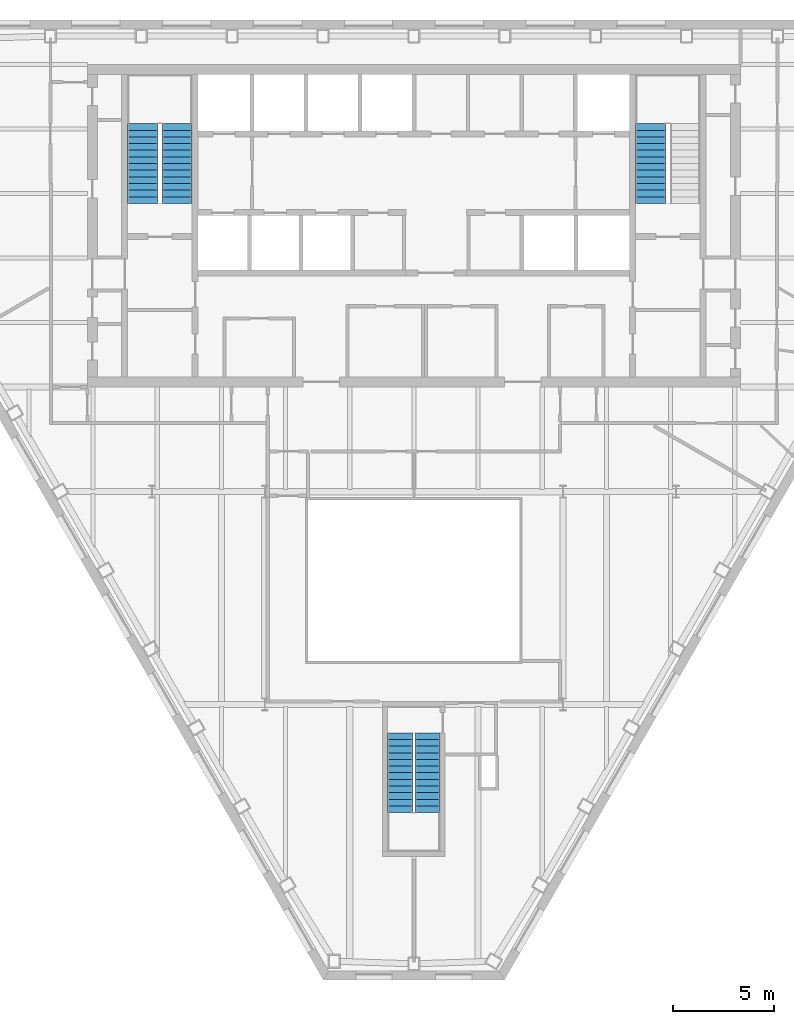
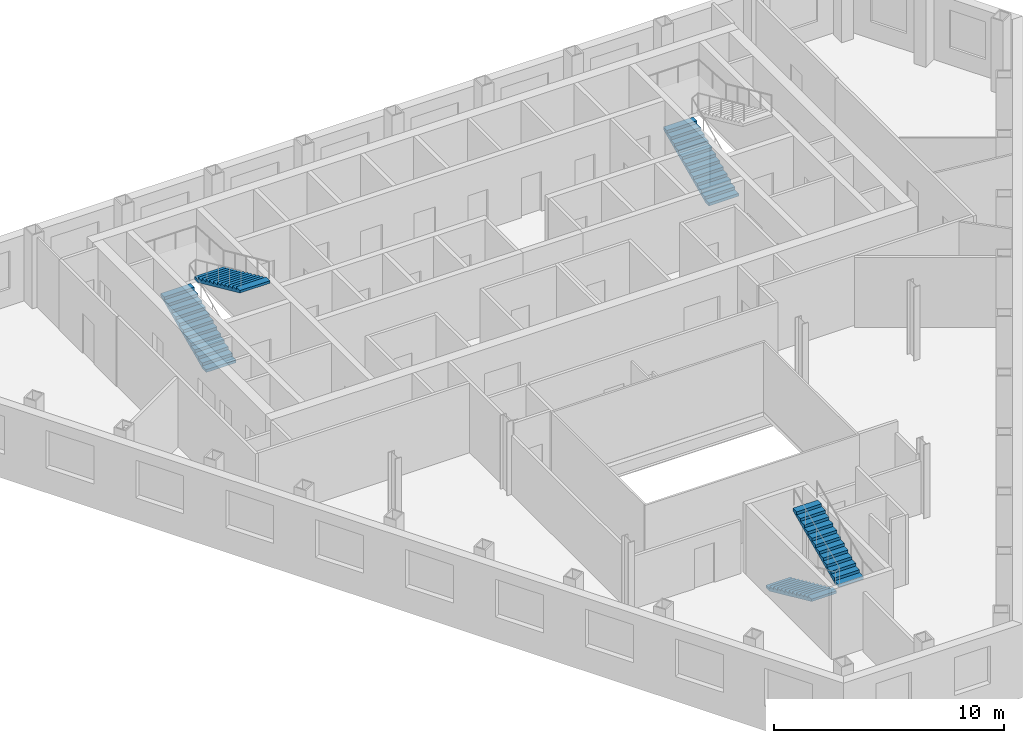
# One storey, part 9 of 11: 5 stair flights, 3 elements without a shape of their own.
"""IFC4 building model written with IfcOpenShell, lengths in metres."""

from ifc_helpers import new_model, si_unit, direction, frame, origin, place, context, subcontext, project, spatial, polygons, material, type_object, element, aggregate, save


model = new_model("IFC4")

# Units and contexts
model_context = context("Model", 3, precision=1e-05, world=origin(), true_north=direction((0.0, 1.0)))
body_context = subcontext(model_context, "Body", "Model", "MODEL_VIEW")
ifc_project = project(units=[si_unit("LENGTHUNIT", "METRE"), si_unit("AREAUNIT", "SQUARE_METRE"), si_unit("VOLUMEUNIT", "CUBIC_METRE"), si_unit("PLANEANGLEUNIT", "RADIAN"), si_unit("MASSUNIT", "GRAM", prefix="KILO")], contexts=[model_context])

# Site, building, storey
site_placement = place(None, origin())
site = spatial("IfcSite", under=ifc_project, at=site_placement, CompositionType="ELEMENT")
building_placement = place(site_placement, origin())
building = spatial("IfcBuilding", under=site, at=building_placement, Name="Njiva Tower", CompositionType="ELEMENT")
storey_placement = place(building_placement, frame((0.0, 0.0, 143.7)))
storey = spatial("IfcBuildingStorey", under=building, at=storey_placement, Name="L30", CompositionType="ELEMENT", Elevation=143.7)

# Stair, stair flights
ifc_material = material(Name="Concrete C40/50", Category="concrete")
stair_type_1 = type_object("IfcStairType", Name="ST1 Exit stair 1250", PredefinedType="HALF_TURN_STAIR", material=ifc_material)
stair_1_placement = place(storey_placement, origin())
stair_1 = element("IfcStair", 1, at=stair_1_placement, inside=storey, type_object=stair_type_1, Name="Stair C", PredefinedType="HALF_TURN_STAIR")
stair_flight_type_1 = type_object("IfcStairFlightType", Name="FL1 Stair flight 1250", PredefinedType="STRAIGHT", material=ifc_material)
stair_flight_1_placement = place(storey_placement, frame((-0.675, -15.16, 0.0), z_axis=(0.0, 0.0, 1.0), x_axis=(0.0, -1.0, 0.0)))
stair_flight_1 = element("IfcStairFlight", 2, at=stair_flight_1_placement, type_object=stair_flight_type_1, Name="ST-C flight 1", NumberOfRisers=13, NumberOfTreads=12, PredefinedType="STRAIGHT", RiserHeight=0.15, TreadLength=0.33, context=body_context, shape_type="Tessellation", body=[
    polygons([(0.0, 0.625, 0.0), (0.0, 0.3125, 0.0), (0.0, 0.0, 0.0), (0.0, -0.3125, 0.0), (0.0, -0.625, 0.0), (0.0, 0.625, 0.15), (0.0, 0.3125, 0.15), (0.0, 0.0, 0.15), (0.0, -0.3125, 0.15), (0.0, -0.625, 0.15), (0.33, 0.625, 0.15), (0.33, 0.3125, 0.15), (0.33, 0.0, 0.15), (0.33, -0.3125, 0.15), (0.33, -0.625, 0.15), (0.33, 0.625, 0.3), (0.33, 0.3125, 0.3), (0.33, 0.0, 0.3), (0.33, -0.3125, 0.3), (0.33, -0.625, 0.3), (0.66, 0.625, 0.3), (0.66, 0.3125, 0.3), (0.66, 0.0, 0.3), (0.66, -0.3125, 0.3), (0.66, -0.625, 0.3), (0.66, 0.625, 0.45), (0.66, 0.3125, 0.45), (0.66, 0.0, 0.45), (0.66, -0.3125, 0.45), (0.66, -0.625, 0.45), (0.99, 0.625, 0.45), (0.99, 0.3125, 0.45), (0.99, 0.0, 0.45), (0.99, -0.3125, 0.45), (0.99, -0.625, 0.45), (0.99, 0.625, 0.6), (0.99, 0.3125, 0.6), (0.99, 0.0, 0.6), (0.99, -0.3125, 0.6), (0.99, -0.625, 0.6), (1.32, 0.625, 0.6), (1.32, 0.3125, 0.6), (1.32, 0.0, 0.6), (1.32, -0.3125, 0.6), (1.32, -0.625, 0.6), (1.32, 0.625, 0.75), (1.32, 0.3125, 0.75), (1.32, 0.0, 0.75), (1.32, -0.3125, 0.75), (1.32, -0.625, 0.75), (1.65, 0.625, 0.75), (1.65, 0.3125, 0.75), (1.65, 0.0, 0.75), (1.65, -0.3125, 0.75), (1.65, -0.625, 0.75), (1.65, 0.625, 0.9), (1.65, 0.3125, 0.9), (1.65, 0.0, 0.9), (1.65, -0.3125, 0.9), (1.65, -0.625, 0.9), (1.98, 0.625, 0.9), (1.98, 0.3125, 0.9), (1.98, 0.0, 0.9), (1.98, -0.3125, 0.9), (1.98, -0.625, 0.9), (1.98, 0.625, 1.05), (1.98, 0.3125, 1.05), (1.98, 0.0, 1.05), (1.98, -0.3125, 1.05), (1.98, -0.625, 1.05), (2.31, 0.625, 1.05), (2.31, 0.3125, 1.05), (2.31, 0.0, 1.05), (2.31, -0.3125, 1.05), (2.31, -0.625, 1.05), (2.31, 0.625, 1.2), (2.31, 0.3125, 1.2), (2.31, 0.0, 1.2), (2.31, -0.3125, 1.2), (2.31, -0.625, 1.2), (2.64, 0.625, 1.2), (2.64, 0.3125, 1.2), (2.64, 0.0, 1.2), (2.64, -0.3125, 1.2), (2.64, -0.625, 1.2), (2.64, 0.625, 1.35), (2.64, 0.3125, 1.35), (2.64, 0.0, 1.35), (2.64, -0.3125, 1.35), (2.64, -0.625, 1.35), (2.97, 0.625, 1.35), (2.97, 0.3125, 1.35), (2.97, 0.0, 1.35), (2.97, -0.3125, 1.35), (2.97, -0.625, 1.35), (2.97, 0.625, 1.5), (2.97, 0.3125, 1.5), (2.97, 0.0, 1.5), (2.97, -0.3125, 1.5), (2.97, -0.625, 1.5), (3.3, 0.625, 1.5), (3.3, 0.3125, 1.5), (3.3, 0.0, 1.5), (3.3, -0.3125, 1.5), (3.3, -0.625, 1.5), (3.3, 0.625, 1.65), (3.3, 0.3125, 1.65), (3.3, 0.0, 1.65), (3.3, -0.3125, 1.65), (3.3, -0.625, 1.65), (3.63, 0.625, 1.65), (3.63, 0.3125, 1.65), (3.63, 0.0, 1.65), (3.63, -0.3125, 1.65), (3.63, -0.625, 1.65), (3.63, 0.625, 1.8), (3.63, 0.3125, 1.8), (3.63, 0.0, 1.8), (3.63, -0.3125, 1.8), (3.63, -0.625, 1.8), (3.96, 0.625, 1.8), (3.96, 0.3125, 1.8), (3.96, 0.0, 1.8), (3.96, -0.3125, 1.8), (3.96, -0.625, 1.8), (3.96, 0.625, 1.6682), (3.96, 0.3125, 1.6682), (3.96, 0.0, 1.6682), (3.96, -0.3125, 1.6682), (3.96, -0.625, 1.6682), (0.29, 0.625, 0.0), (0.29, 0.3125, 0.0), (0.29, 0.0, 0.0), (0.29, -0.3125, 0.0), (0.29, -0.625, 0.0)], [[[1, 6, 11, 16, 21, 26, 31, 36, 41, 46, 51, 56, 61, 66, 71, 76, 81, 86, 91, 96, 101, 106, 111, 116, 121, 126, 131]], [[135, 130, 125, 120, 115, 110, 105, 100, 95, 90, 85, 80, 75, 70, 65, 60, 55, 50, 45, 40, 35, 30, 25, 20, 15, 10, 5]], [[6, 1, 2, 7]], [[7, 2, 3, 8]], [[8, 3, 4, 9]], [[9, 4, 5, 10]], [[11, 6, 7, 12]], [[12, 7, 8, 13]], [[13, 8, 9, 14]], [[14, 9, 10, 15]], [[16, 11, 12, 17]], [[17, 12, 13, 18]], [[18, 13, 14, 19]], [[19, 14, 15, 20]], [[21, 16, 17, 22]], [[22, 17, 18, 23]], [[23, 18, 19, 24]], [[24, 19, 20, 25]], [[26, 21, 22, 27]], [[27, 22, 23, 28]], [[28, 23, 24, 29]], [[29, 24, 25, 30]], [[31, 26, 27, 32]], [[32, 27, 28, 33]], [[33, 28, 29, 34]], [[34, 29, 30, 35]], [[36, 31, 32, 37]], [[37, 32, 33, 38]], [[38, 33, 34, 39]], [[39, 34, 35, 40]], [[41, 36, 37, 42]], [[42, 37, 38, 43]], [[43, 38, 39, 44]], [[44, 39, 40, 45]], [[46, 41, 42, 47]], [[47, 42, 43, 48]], [[48, 43, 44, 49]], [[49, 44, 45, 50]], [[51, 46, 47, 52]], [[52, 47, 48, 53]], [[53, 48, 49, 54]], [[54, 49, 50, 55]], [[56, 51, 52, 57]], [[57, 52, 53, 58]], [[58, 53, 54, 59]], [[59, 54, 55, 60]], [[61, 56, 57, 62]], [[62, 57, 58, 63]], [[63, 58, 59, 64]], [[64, 59, 60, 65]], [[66, 61, 62, 67]], [[67, 62, 63, 68]], [[68, 63, 64, 69]], [[69, 64, 65, 70]], [[71, 66, 67, 72]], [[72, 67, 68, 73]], [[73, 68, 69, 74]], [[74, 69, 70, 75]], [[76, 71, 72, 77]], [[77, 72, 73, 78]], [[78, 73, 74, 79]], [[79, 74, 75, 80]], [[81, 76, 77, 82]], [[82, 77, 78, 83]], [[83, 78, 79, 84]], [[84, 79, 80, 85]], [[86, 81, 82, 87]], [[87, 82, 83, 88]], [[88, 83, 84, 89]], [[89, 84, 85, 90]], [[91, 86, 87, 92]], [[92, 87, 88, 93]], [[93, 88, 89, 94]], [[94, 89, 90, 95]], [[96, 91, 92, 97]], [[97, 92, 93, 98]], [[98, 93, 94, 99]], [[99, 94, 95, 100]], [[101, 96, 97, 102]], [[102, 97, 98, 103]], [[103, 98, 99, 104]], [[104, 99, 100, 105]], [[106, 101, 102, 107]], [[107, 102, 103, 108]], [[108, 103, 104, 109]], [[109, 104, 105, 110]], [[111, 106, 107, 112]], [[112, 107, 108, 113]], [[113, 108, 109, 114]], [[114, 109, 110, 115]], [[116, 111, 112, 117]], [[117, 112, 113, 118]], [[118, 113, 114, 119]], [[119, 114, 115, 120]], [[121, 116, 117, 122]], [[122, 117, 118, 123]], [[123, 118, 119, 124]], [[124, 119, 120, 125]], [[126, 121, 122, 127]], [[127, 122, 123, 128]], [[128, 123, 124, 129]], [[129, 124, 125, 130]], [[131, 126, 127, 132]], [[132, 127, 128, 133]], [[133, 128, 129, 134]], [[134, 129, 130, 135]], [[1, 131, 132, 2]], [[2, 132, 133, 3]], [[3, 133, 134, 4]], [[4, 134, 135, 5]]], closed=True),
])
stair_flight_2_placement = place(storey_placement, frame((0.675, -19.12, 1.95), z_axis=(0.0, 0.0, 1.0), x_axis=(0.0, 1.0, 0.0)))
stair_flight_2 = element("IfcStairFlight", 3, at=stair_flight_2_placement, type_object=stair_flight_type_1, Name="ST-C flight 2", NumberOfRisers=13, NumberOfTreads=12, PredefinedType="STRAIGHT", RiserHeight=0.15, TreadLength=0.33, context=body_context, shape_type="Tessellation", body=[
    polygons([(0.0, 0.625, 0.0), (0.0, 0.3125, 0.0), (0.0, 0.0, 0.0), (0.0, -0.3125, 0.0), (0.0, -0.625, 0.0), (0.0, 0.625, 0.15), (0.0, 0.3125, 0.15), (0.0, 0.0, 0.15), (0.0, -0.3125, 0.15), (0.0, -0.625, 0.15), (0.33, 0.625, 0.15), (0.33, 0.3125, 0.15), (0.33, 0.0, 0.15), (0.33, -0.3125, 0.15), (0.33, -0.625, 0.15), (0.33, 0.625, 0.3), (0.33, 0.3125, 0.3), (0.33, 0.0, 0.3), (0.33, -0.3125, 0.3), (0.33, -0.625, 0.3), (0.66, 0.625, 0.3), (0.66, 0.3125, 0.3), (0.66, 0.0, 0.3), (0.66, -0.3125, 0.3), (0.66, -0.625, 0.3), (0.66, 0.625, 0.45), (0.66, 0.3125, 0.45), (0.66, 0.0, 0.45), (0.66, -0.3125, 0.45), (0.66, -0.625, 0.45), (0.99, 0.625, 0.45), (0.99, 0.3125, 0.45), (0.99, 0.0, 0.45), (0.99, -0.3125, 0.45), (0.99, -0.625, 0.45), (0.99, 0.625, 0.6), (0.99, 0.3125, 0.6), (0.99, 0.0, 0.6), (0.99, -0.3125, 0.6), (0.99, -0.625, 0.6), (1.32, 0.625, 0.6), (1.32, 0.3125, 0.6), (1.32, 0.0, 0.6), (1.32, -0.3125, 0.6), (1.32, -0.625, 0.6), (1.32, 0.625, 0.75), (1.32, 0.3125, 0.75), (1.32, 0.0, 0.75), (1.32, -0.3125, 0.75), (1.32, -0.625, 0.75), (1.65, 0.625, 0.75), (1.65, 0.3125, 0.75), (1.65, 0.0, 0.75), (1.65, -0.3125, 0.75), (1.65, -0.625, 0.75), (1.65, 0.625, 0.9), (1.65, 0.3125, 0.9), (1.65, 0.0, 0.9), (1.65, -0.3125, 0.9), (1.65, -0.625, 0.9), (1.98, 0.625, 0.9), (1.98, 0.3125, 0.9), (1.98, 0.0, 0.9), (1.98, -0.3125, 0.9), (1.98, -0.625, 0.9), (1.98, 0.625, 1.05), (1.98, 0.3125, 1.05), (1.98, 0.0, 1.05), (1.98, -0.3125, 1.05), (1.98, -0.625, 1.05), (2.31, 0.625, 1.05), (2.31, 0.3125, 1.05), (2.31, 0.0, 1.05), (2.31, -0.3125, 1.05), (2.31, -0.625, 1.05), (2.31, 0.625, 1.2), (2.31, 0.3125, 1.2), (2.31, 0.0, 1.2), (2.31, -0.3125, 1.2), (2.31, -0.625, 1.2), (2.64, 0.625, 1.2), (2.64, 0.3125, 1.2), (2.64, 0.0, 1.2), (2.64, -0.3125, 1.2), (2.64, -0.625, 1.2), (2.64, 0.625, 1.35), (2.64, 0.3125, 1.35), (2.64, 0.0, 1.35), (2.64, -0.3125, 1.35), (2.64, -0.625, 1.35), (2.97, 0.625, 1.35), (2.97, 0.3125, 1.35), (2.97, 0.0, 1.35), (2.97, -0.3125, 1.35), (2.97, -0.625, 1.35), (2.97, 0.625, 1.5), (2.97, 0.3125, 1.5), (2.97, 0.0, 1.5), (2.97, -0.3125, 1.5), (2.97, -0.625, 1.5), (3.3, 0.625, 1.5), (3.3, 0.3125, 1.5), (3.3, 0.0, 1.5), (3.3, -0.3125, 1.5), (3.3, -0.625, 1.5), (3.3, 0.625, 1.65), (3.3, 0.3125, 1.65), (3.3, 0.0, 1.65), (3.3, -0.3125, 1.65), (3.3, -0.625, 1.65), (3.63, 0.625, 1.65), (3.63, 0.3125, 1.65), (3.63, 0.0, 1.65), (3.63, -0.3125, 1.65), (3.63, -0.625, 1.65), (3.63, 0.625, 1.8), (3.63, 0.3125, 1.8), (3.63, 0.0, 1.8), (3.63, -0.3125, 1.8), (3.63, -0.625, 1.8), (3.96, 0.625, 1.8), (3.96, 0.3125, 1.8), (3.96, 0.0, 1.8), (3.96, -0.3125, 1.8), (3.96, -0.625, 1.8), (3.96, 0.625, 1.6682), (3.96, 0.3125, 1.6682), (3.96, 0.0, 1.6682), (3.96, -0.3125, 1.6682), (3.96, -0.625, 1.6682), (0.29, 0.625, 0.0), (0.29, 0.3125, 0.0), (0.29, 0.0, 0.0), (0.29, -0.3125, 0.0), (0.29, -0.625, 0.0)], [[[1, 6, 11, 16, 21, 26, 31, 36, 41, 46, 51, 56, 61, 66, 71, 76, 81, 86, 91, 96, 101, 106, 111, 116, 121, 126, 131]], [[135, 130, 125, 120, 115, 110, 105, 100, 95, 90, 85, 80, 75, 70, 65, 60, 55, 50, 45, 40, 35, 30, 25, 20, 15, 10, 5]], [[6, 1, 2, 7]], [[7, 2, 3, 8]], [[8, 3, 4, 9]], [[9, 4, 5, 10]], [[11, 6, 7, 12]], [[12, 7, 8, 13]], [[13, 8, 9, 14]], [[14, 9, 10, 15]], [[16, 11, 12, 17]], [[17, 12, 13, 18]], [[18, 13, 14, 19]], [[19, 14, 15, 20]], [[21, 16, 17, 22]], [[22, 17, 18, 23]], [[23, 18, 19, 24]], [[24, 19, 20, 25]], [[26, 21, 22, 27]], [[27, 22, 23, 28]], [[28, 23, 24, 29]], [[29, 24, 25, 30]], [[31, 26, 27, 32]], [[32, 27, 28, 33]], [[33, 28, 29, 34]], [[34, 29, 30, 35]], [[36, 31, 32, 37]], [[37, 32, 33, 38]], [[38, 33, 34, 39]], [[39, 34, 35, 40]], [[41, 36, 37, 42]], [[42, 37, 38, 43]], [[43, 38, 39, 44]], [[44, 39, 40, 45]], [[46, 41, 42, 47]], [[47, 42, 43, 48]], [[48, 43, 44, 49]], [[49, 44, 45, 50]], [[51, 46, 47, 52]], [[52, 47, 48, 53]], [[53, 48, 49, 54]], [[54, 49, 50, 55]], [[56, 51, 52, 57]], [[57, 52, 53, 58]], [[58, 53, 54, 59]], [[59, 54, 55, 60]], [[61, 56, 57, 62]], [[62, 57, 58, 63]], [[63, 58, 59, 64]], [[64, 59, 60, 65]], [[66, 61, 62, 67]], [[67, 62, 63, 68]], [[68, 63, 64, 69]], [[69, 64, 65, 70]], [[71, 66, 67, 72]], [[72, 67, 68, 73]], [[73, 68, 69, 74]], [[74, 69, 70, 75]], [[76, 71, 72, 77]], [[77, 72, 73, 78]], [[78, 73, 74, 79]], [[79, 74, 75, 80]], [[81, 76, 77, 82]], [[82, 77, 78, 83]], [[83, 78, 79, 84]], [[84, 79, 80, 85]], [[86, 81, 82, 87]], [[87, 82, 83, 88]], [[88, 83, 84, 89]], [[89, 84, 85, 90]], [[91, 86, 87, 92]], [[92, 87, 88, 93]], [[93, 88, 89, 94]], [[94, 89, 90, 95]], [[96, 91, 92, 97]], [[97, 92, 93, 98]], [[98, 93, 94, 99]], [[99, 94, 95, 100]], [[101, 96, 97, 102]], [[102, 97, 98, 103]], [[103, 98, 99, 104]], [[104, 99, 100, 105]], [[106, 101, 102, 107]], [[107, 102, 103, 108]], [[108, 103, 104, 109]], [[109, 104, 105, 110]], [[111, 106, 107, 112]], [[112, 107, 108, 113]], [[113, 108, 109, 114]], [[114, 109, 110, 115]], [[116, 111, 112, 117]], [[117, 112, 113, 118]], [[118, 113, 114, 119]], [[119, 114, 115, 120]], [[121, 116, 117, 122]], [[122, 117, 118, 123]], [[123, 118, 119, 124]], [[124, 119, 120, 125]], [[126, 121, 122, 127]], [[127, 122, 123, 128]], [[128, 123, 124, 129]], [[129, 124, 125, 130]], [[131, 126, 127, 132]], [[132, 127, 128, 133]], [[133, 128, 129, 134]], [[134, 129, 130, 135]], [[1, 131, 132, 2]], [[2, 132, 133, 3]], [[3, 133, 134, 4]], [[4, 134, 135, 5]]], closed=True),
])
aggregate(stair_1, [stair_flight_1, stair_flight_2])

stair_type_2 = type_object("IfcStairType", Name="ST4 Exit stair 1500", PredefinedType="HALF_TURN_STAIR", material=ifc_material)
stair_2_placement = place(storey_placement, origin())
stair_2 = element("IfcStair", 4, at=stair_2_placement, inside=storey, type_object=stair_type_2, Name="Stair A", PredefinedType="HALF_TURN_STAIR")
stair_flight_type_2 = type_object("IfcStairFlightType", Name="FL4 Stair flight 1500", PredefinedType="STRAIGHT", material=ifc_material)
stair_flight_3_placement = place(storey_placement, frame((-13.45, 11.1, 0.0), z_axis=(0.0, 0.0, 1.0), x_axis=(0.0, 1.0, 0.0)))
stair_flight_3 = element("IfcStairFlight", 5, at=stair_flight_3_placement, type_object=stair_flight_type_2, Name="ST-A flight 1", NumberOfRisers=13, NumberOfTreads=12, PredefinedType="STRAIGHT", RiserHeight=0.15, TreadLength=0.33, context=body_context, shape_type="Tessellation", body=[
    polygons([(0.0, 0.75, 0.0), (0.0, 0.375, 0.0), (0.0, 0.0, 0.0), (0.0, -0.375, 0.0), (0.0, -0.75, 0.0), (0.0, 0.75, 0.15), (0.0, 0.375, 0.15), (0.0, 0.0, 0.15), (0.0, -0.375, 0.15), (0.0, -0.75, 0.15), (0.33, 0.75, 0.15), (0.33, 0.375, 0.15), (0.33, 0.0, 0.15), (0.33, -0.375, 0.15), (0.33, -0.75, 0.15), (0.33, 0.75, 0.3), (0.33, 0.375, 0.3), (0.33, 0.0, 0.3), (0.33, -0.375, 0.3), (0.33, -0.75, 0.3), (0.66, 0.75, 0.3), (0.66, 0.375, 0.3), (0.66, 0.0, 0.3), (0.66, -0.375, 0.3), (0.66, -0.75, 0.3), (0.66, 0.75, 0.45), (0.66, 0.375, 0.45), (0.66, 0.0, 0.45), (0.66, -0.375, 0.45), (0.66, -0.75, 0.45), (0.99, 0.75, 0.45), (0.99, 0.375, 0.45), (0.99, 0.0, 0.45), (0.99, -0.375, 0.45), (0.99, -0.75, 0.45), (0.99, 0.75, 0.6), (0.99, 0.375, 0.6), (0.99, 0.0, 0.6), (0.99, -0.375, 0.6), (0.99, -0.75, 0.6), (1.32, 0.75, 0.6), (1.32, 0.375, 0.6), (1.32, 0.0, 0.6), (1.32, -0.375, 0.6), (1.32, -0.75, 0.6), (1.32, 0.75, 0.75), (1.32, 0.375, 0.75), (1.32, 0.0, 0.75), (1.32, -0.375, 0.75), (1.32, -0.75, 0.75), (1.65, 0.75, 0.75), (1.65, 0.375, 0.75), (1.65, 0.0, 0.75), (1.65, -0.375, 0.75), (1.65, -0.75, 0.75), (1.65, 0.75, 0.9), (1.65, 0.375, 0.9), (1.65, 0.0, 0.9), (1.65, -0.375, 0.9), (1.65, -0.75, 0.9), (1.98, 0.75, 0.9), (1.98, 0.375, 0.9), (1.98, 0.0, 0.9), (1.98, -0.375, 0.9), (1.98, -0.75, 0.9), (1.98, 0.75, 1.05), (1.98, 0.375, 1.05), (1.98, 0.0, 1.05), (1.98, -0.375, 1.05), (1.98, -0.75, 1.05), (2.31, 0.75, 1.05), (2.31, 0.375, 1.05), (2.31, 0.0, 1.05), (2.31, -0.375, 1.05), (2.31, -0.75, 1.05), (2.31, 0.75, 1.2), (2.31, 0.375, 1.2), (2.31, 0.0, 1.2), (2.31, -0.375, 1.2), (2.31, -0.75, 1.2), (2.64, 0.75, 1.2), (2.64, 0.375, 1.2), (2.64, 0.0, 1.2), (2.64, -0.375, 1.2), (2.64, -0.75, 1.2), (2.64, 0.75, 1.35), (2.64, 0.375, 1.35), (2.64, 0.0, 1.35), (2.64, -0.375, 1.35), (2.64, -0.75, 1.35), (2.97, 0.75, 1.35), (2.97, 0.375, 1.35), (2.97, 0.0, 1.35), (2.97, -0.375, 1.35), (2.97, -0.75, 1.35), (2.97, 0.75, 1.5), (2.97, 0.375, 1.5), (2.97, 0.0, 1.5), (2.97, -0.375, 1.5), (2.97, -0.75, 1.5), (3.3, 0.75, 1.5), (3.3, 0.375, 1.5), (3.3, 0.0, 1.5), (3.3, -0.375, 1.5), (3.3, -0.75, 1.5), (3.3, 0.75, 1.65), (3.3, 0.375, 1.65), (3.3, 0.0, 1.65), (3.3, -0.375, 1.65), (3.3, -0.75, 1.65), (3.63, 0.75, 1.65), (3.63, 0.375, 1.65), (3.63, 0.0, 1.65), (3.63, -0.375, 1.65), (3.63, -0.75, 1.65), (3.63, 0.75, 1.8), (3.63, 0.375, 1.8), (3.63, 0.0, 1.8), (3.63, -0.375, 1.8), (3.63, -0.75, 1.8), (3.96, 0.75, 1.8), (3.96, 0.375, 1.8), (3.96, 0.0, 1.8), (3.96, -0.375, 1.8), (3.96, -0.75, 1.8), (3.96, 0.75, 1.6682), (3.96, 0.375, 1.6682), (3.96, 0.0, 1.6682), (3.96, -0.375, 1.6682), (3.96, -0.75, 1.6682), (0.29, 0.75, 0.0), (0.29, 0.375, 0.0), (0.29, 0.0, 0.0), (0.29, -0.375, 0.0), (0.29, -0.75, 0.0)], [[[1, 6, 11, 16, 21, 26, 31, 36, 41, 46, 51, 56, 61, 66, 71, 76, 81, 86, 91, 96, 101, 106, 111, 116, 121, 126, 131]], [[135, 130, 125, 120, 115, 110, 105, 100, 95, 90, 85, 80, 75, 70, 65, 60, 55, 50, 45, 40, 35, 30, 25, 20, 15, 10, 5]], [[6, 1, 2, 7]], [[7, 2, 3, 8]], [[8, 3, 4, 9]], [[9, 4, 5, 10]], [[11, 6, 7, 12]], [[12, 7, 8, 13]], [[13, 8, 9, 14]], [[14, 9, 10, 15]], [[16, 11, 12, 17]], [[17, 12, 13, 18]], [[18, 13, 14, 19]], [[19, 14, 15, 20]], [[21, 16, 17, 22]], [[22, 17, 18, 23]], [[23, 18, 19, 24]], [[24, 19, 20, 25]], [[26, 21, 22, 27]], [[27, 22, 23, 28]], [[28, 23, 24, 29]], [[29, 24, 25, 30]], [[31, 26, 27, 32]], [[32, 27, 28, 33]], [[33, 28, 29, 34]], [[34, 29, 30, 35]], [[36, 31, 32, 37]], [[37, 32, 33, 38]], [[38, 33, 34, 39]], [[39, 34, 35, 40]], [[41, 36, 37, 42]], [[42, 37, 38, 43]], [[43, 38, 39, 44]], [[44, 39, 40, 45]], [[46, 41, 42, 47]], [[47, 42, 43, 48]], [[48, 43, 44, 49]], [[49, 44, 45, 50]], [[51, 46, 47, 52]], [[52, 47, 48, 53]], [[53, 48, 49, 54]], [[54, 49, 50, 55]], [[56, 51, 52, 57]], [[57, 52, 53, 58]], [[58, 53, 54, 59]], [[59, 54, 55, 60]], [[61, 56, 57, 62]], [[62, 57, 58, 63]], [[63, 58, 59, 64]], [[64, 59, 60, 65]], [[66, 61, 62, 67]], [[67, 62, 63, 68]], [[68, 63, 64, 69]], [[69, 64, 65, 70]], [[71, 66, 67, 72]], [[72, 67, 68, 73]], [[73, 68, 69, 74]], [[74, 69, 70, 75]], [[76, 71, 72, 77]], [[77, 72, 73, 78]], [[78, 73, 74, 79]], [[79, 74, 75, 80]], [[81, 76, 77, 82]], [[82, 77, 78, 83]], [[83, 78, 79, 84]], [[84, 79, 80, 85]], [[86, 81, 82, 87]], [[87, 82, 83, 88]], [[88, 83, 84, 89]], [[89, 84, 85, 90]], [[91, 86, 87, 92]], [[92, 87, 88, 93]], [[93, 88, 89, 94]], [[94, 89, 90, 95]], [[96, 91, 92, 97]], [[97, 92, 93, 98]], [[98, 93, 94, 99]], [[99, 94, 95, 100]], [[101, 96, 97, 102]], [[102, 97, 98, 103]], [[103, 98, 99, 104]], [[104, 99, 100, 105]], [[106, 101, 102, 107]], [[107, 102, 103, 108]], [[108, 103, 104, 109]], [[109, 104, 105, 110]], [[111, 106, 107, 112]], [[112, 107, 108, 113]], [[113, 108, 109, 114]], [[114, 109, 110, 115]], [[116, 111, 112, 117]], [[117, 112, 113, 118]], [[118, 113, 114, 119]], [[119, 114, 115, 120]], [[121, 116, 117, 122]], [[122, 117, 118, 123]], [[123, 118, 119, 124]], [[124, 119, 120, 125]], [[126, 121, 122, 127]], [[127, 122, 123, 128]], [[128, 123, 124, 129]], [[129, 124, 125, 130]], [[131, 126, 127, 132]], [[132, 127, 128, 133]], [[133, 128, 129, 134]], [[134, 129, 130, 135]], [[1, 131, 132, 2]], [[2, 132, 133, 3]], [[3, 133, 134, 4]], [[4, 134, 135, 5]]], closed=True),
])
stair_flight_4_placement = place(storey_placement, frame((-11.75, 15.06, 1.95), z_axis=(0.0, 0.0, 1.0), x_axis=(0.0, -1.0, 0.0)))
stair_flight_4 = element("IfcStairFlight", 6, at=stair_flight_4_placement, type_object=stair_flight_type_2, Name="ST-A flight 2", NumberOfRisers=13, NumberOfTreads=12, PredefinedType="STRAIGHT", RiserHeight=0.15, TreadLength=0.33, context=body_context, shape_type="Tessellation", body=[
    polygons([(0.0, 0.75, 0.0), (0.0, 0.375, 0.0), (0.0, 0.0, 0.0), (0.0, -0.375, 0.0), (0.0, -0.75, 0.0), (0.0, 0.75, 0.15), (0.0, 0.375, 0.15), (0.0, 0.0, 0.15), (0.0, -0.375, 0.15), (0.0, -0.75, 0.15), (0.33, 0.75, 0.15), (0.33, 0.375, 0.15), (0.33, 0.0, 0.15), (0.33, -0.375, 0.15), (0.33, -0.75, 0.15), (0.33, 0.75, 0.3), (0.33, 0.375, 0.3), (0.33, 0.0, 0.3), (0.33, -0.375, 0.3), (0.33, -0.75, 0.3), (0.66, 0.75, 0.3), (0.66, 0.375, 0.3), (0.66, 0.0, 0.3), (0.66, -0.375, 0.3), (0.66, -0.75, 0.3), (0.66, 0.75, 0.45), (0.66, 0.375, 0.45), (0.66, 0.0, 0.45), (0.66, -0.375, 0.45), (0.66, -0.75, 0.45), (0.99, 0.75, 0.45), (0.99, 0.375, 0.45), (0.99, 0.0, 0.45), (0.99, -0.375, 0.45), (0.99, -0.75, 0.45), (0.99, 0.75, 0.6), (0.99, 0.375, 0.6), (0.99, 0.0, 0.6), (0.99, -0.375, 0.6), (0.99, -0.75, 0.6), (1.32, 0.75, 0.6), (1.32, 0.375, 0.6), (1.32, 0.0, 0.6), (1.32, -0.375, 0.6), (1.32, -0.75, 0.6), (1.32, 0.75, 0.75), (1.32, 0.375, 0.75), (1.32, 0.0, 0.75), (1.32, -0.375, 0.75), (1.32, -0.75, 0.75), (1.65, 0.75, 0.75), (1.65, 0.375, 0.75), (1.65, 0.0, 0.75), (1.65, -0.375, 0.75), (1.65, -0.75, 0.75), (1.65, 0.75, 0.9), (1.65, 0.375, 0.9), (1.65, 0.0, 0.9), (1.65, -0.375, 0.9), (1.65, -0.75, 0.9), (1.98, 0.75, 0.9), (1.98, 0.375, 0.9), (1.98, 0.0, 0.9), (1.98, -0.375, 0.9), (1.98, -0.75, 0.9), (1.98, 0.75, 1.05), (1.98, 0.375, 1.05), (1.98, 0.0, 1.05), (1.98, -0.375, 1.05), (1.98, -0.75, 1.05), (2.31, 0.75, 1.05), (2.31, 0.375, 1.05), (2.31, 0.0, 1.05), (2.31, -0.375, 1.05), (2.31, -0.75, 1.05), (2.31, 0.75, 1.2), (2.31, 0.375, 1.2), (2.31, 0.0, 1.2), (2.31, -0.375, 1.2), (2.31, -0.75, 1.2), (2.64, 0.75, 1.2), (2.64, 0.375, 1.2), (2.64, 0.0, 1.2), (2.64, -0.375, 1.2), (2.64, -0.75, 1.2), (2.64, 0.75, 1.35), (2.64, 0.375, 1.35), (2.64, 0.0, 1.35), (2.64, -0.375, 1.35), (2.64, -0.75, 1.35), (2.97, 0.75, 1.35), (2.97, 0.375, 1.35), (2.97, 0.0, 1.35), (2.97, -0.375, 1.35), (2.97, -0.75, 1.35), (2.97, 0.75, 1.5), (2.97, 0.375, 1.5), (2.97, 0.0, 1.5), (2.97, -0.375, 1.5), (2.97, -0.75, 1.5), (3.3, 0.75, 1.5), (3.3, 0.375, 1.5), (3.3, 0.0, 1.5), (3.3, -0.375, 1.5), (3.3, -0.75, 1.5), (3.3, 0.75, 1.65), (3.3, 0.375, 1.65), (3.3, 0.0, 1.65), (3.3, -0.375, 1.65), (3.3, -0.75, 1.65), (3.63, 0.75, 1.65), (3.63, 0.375, 1.65), (3.63, 0.0, 1.65), (3.63, -0.375, 1.65), (3.63, -0.75, 1.65), (3.63, 0.75, 1.8), (3.63, 0.375, 1.8), (3.63, 0.0, 1.8), (3.63, -0.375, 1.8), (3.63, -0.75, 1.8), (3.96, 0.75, 1.8), (3.96, 0.375, 1.8), (3.96, 0.0, 1.8), (3.96, -0.375, 1.8), (3.96, -0.75, 1.8), (3.96, 0.75, 1.6682), (3.96, 0.375, 1.6682), (3.96, 0.0, 1.6682), (3.96, -0.375, 1.6682), (3.96, -0.75, 1.6682), (0.29, 0.75, 0.0), (0.29, 0.375, 0.0), (0.29, 0.0, 0.0), (0.29, -0.375, 0.0), (0.29, -0.75, 0.0)], [[[1, 6, 11, 16, 21, 26, 31, 36, 41, 46, 51, 56, 61, 66, 71, 76, 81, 86, 91, 96, 101, 106, 111, 116, 121, 126, 131]], [[135, 130, 125, 120, 115, 110, 105, 100, 95, 90, 85, 80, 75, 70, 65, 60, 55, 50, 45, 40, 35, 30, 25, 20, 15, 10, 5]], [[6, 1, 2, 7]], [[7, 2, 3, 8]], [[8, 3, 4, 9]], [[9, 4, 5, 10]], [[11, 6, 7, 12]], [[12, 7, 8, 13]], [[13, 8, 9, 14]], [[14, 9, 10, 15]], [[16, 11, 12, 17]], [[17, 12, 13, 18]], [[18, 13, 14, 19]], [[19, 14, 15, 20]], [[21, 16, 17, 22]], [[22, 17, 18, 23]], [[23, 18, 19, 24]], [[24, 19, 20, 25]], [[26, 21, 22, 27]], [[27, 22, 23, 28]], [[28, 23, 24, 29]], [[29, 24, 25, 30]], [[31, 26, 27, 32]], [[32, 27, 28, 33]], [[33, 28, 29, 34]], [[34, 29, 30, 35]], [[36, 31, 32, 37]], [[37, 32, 33, 38]], [[38, 33, 34, 39]], [[39, 34, 35, 40]], [[41, 36, 37, 42]], [[42, 37, 38, 43]], [[43, 38, 39, 44]], [[44, 39, 40, 45]], [[46, 41, 42, 47]], [[47, 42, 43, 48]], [[48, 43, 44, 49]], [[49, 44, 45, 50]], [[51, 46, 47, 52]], [[52, 47, 48, 53]], [[53, 48, 49, 54]], [[54, 49, 50, 55]], [[56, 51, 52, 57]], [[57, 52, 53, 58]], [[58, 53, 54, 59]], [[59, 54, 55, 60]], [[61, 56, 57, 62]], [[62, 57, 58, 63]], [[63, 58, 59, 64]], [[64, 59, 60, 65]], [[66, 61, 62, 67]], [[67, 62, 63, 68]], [[68, 63, 64, 69]], [[69, 64, 65, 70]], [[71, 66, 67, 72]], [[72, 67, 68, 73]], [[73, 68, 69, 74]], [[74, 69, 70, 75]], [[76, 71, 72, 77]], [[77, 72, 73, 78]], [[78, 73, 74, 79]], [[79, 74, 75, 80]], [[81, 76, 77, 82]], [[82, 77, 78, 83]], [[83, 78, 79, 84]], [[84, 79, 80, 85]], [[86, 81, 82, 87]], [[87, 82, 83, 88]], [[88, 83, 84, 89]], [[89, 84, 85, 90]], [[91, 86, 87, 92]], [[92, 87, 88, 93]], [[93, 88, 89, 94]], [[94, 89, 90, 95]], [[96, 91, 92, 97]], [[97, 92, 93, 98]], [[98, 93, 94, 99]], [[99, 94, 95, 100]], [[101, 96, 97, 102]], [[102, 97, 98, 103]], [[103, 98, 99, 104]], [[104, 99, 100, 105]], [[106, 101, 102, 107]], [[107, 102, 103, 108]], [[108, 103, 104, 109]], [[109, 104, 105, 110]], [[111, 106, 107, 112]], [[112, 107, 108, 113]], [[113, 108, 109, 114]], [[114, 109, 110, 115]], [[116, 111, 112, 117]], [[117, 112, 113, 118]], [[118, 113, 114, 119]], [[119, 114, 115, 120]], [[121, 116, 117, 122]], [[122, 117, 118, 123]], [[123, 118, 119, 124]], [[124, 119, 120, 125]], [[126, 121, 122, 127]], [[127, 122, 123, 128]], [[128, 123, 124, 129]], [[129, 124, 125, 130]], [[131, 126, 127, 132]], [[132, 127, 128, 133]], [[133, 128, 129, 134]], [[134, 129, 130, 135]], [[1, 131, 132, 2]], [[2, 132, 133, 3]], [[3, 133, 134, 4]], [[4, 134, 135, 5]]], closed=True),
])
aggregate(stair_2, [stair_flight_3, stair_flight_4])

# Stair, stair flight
stair_3_placement = place(storey_placement, origin())
stair_3 = element("IfcStair", 7, at=stair_3_placement, inside=storey, type_object=stair_type_2, Name="Stair B", PredefinedType="HALF_TURN_STAIR")
stair_flight_5_placement = place(storey_placement, frame((11.75, 11.1, 0.0), z_axis=(0.0, 0.0, 1.0), x_axis=(0.0, 1.0, 0.0)))
stair_flight_5 = element("IfcStairFlight", 8, at=stair_flight_5_placement, type_object=stair_flight_type_2, Name="ST-B flight 1", NumberOfRisers=13, NumberOfTreads=12, PredefinedType="STRAIGHT", RiserHeight=0.15, TreadLength=0.33, context=body_context, shape_type="Tessellation", body=[
    polygons([(0.0, 0.75, 0.0), (0.0, 0.375, 0.0), (0.0, 0.0, 0.0), (0.0, -0.375, 0.0), (0.0, -0.75, 0.0), (0.0, 0.75, 0.15), (0.0, 0.375, 0.15), (0.0, 0.0, 0.15), (0.0, -0.375, 0.15), (0.0, -0.75, 0.15), (0.33, 0.75, 0.15), (0.33, 0.375, 0.15), (0.33, 0.0, 0.15), (0.33, -0.375, 0.15), (0.33, -0.75, 0.15), (0.33, 0.75, 0.3), (0.33, 0.375, 0.3), (0.33, 0.0, 0.3), (0.33, -0.375, 0.3), (0.33, -0.75, 0.3), (0.66, 0.75, 0.3), (0.66, 0.375, 0.3), (0.66, 0.0, 0.3), (0.66, -0.375, 0.3), (0.66, -0.75, 0.3), (0.66, 0.75, 0.45), (0.66, 0.375, 0.45), (0.66, 0.0, 0.45), (0.66, -0.375, 0.45), (0.66, -0.75, 0.45), (0.99, 0.75, 0.45), (0.99, 0.375, 0.45), (0.99, 0.0, 0.45), (0.99, -0.375, 0.45), (0.99, -0.75, 0.45), (0.99, 0.75, 0.6), (0.99, 0.375, 0.6), (0.99, 0.0, 0.6), (0.99, -0.375, 0.6), (0.99, -0.75, 0.6), (1.32, 0.75, 0.6), (1.32, 0.375, 0.6), (1.32, 0.0, 0.6), (1.32, -0.375, 0.6), (1.32, -0.75, 0.6), (1.32, 0.75, 0.75), (1.32, 0.375, 0.75), (1.32, 0.0, 0.75), (1.32, -0.375, 0.75), (1.32, -0.75, 0.75), (1.65, 0.75, 0.75), (1.65, 0.375, 0.75), (1.65, 0.0, 0.75), (1.65, -0.375, 0.75), (1.65, -0.75, 0.75), (1.65, 0.75, 0.9), (1.65, 0.375, 0.9), (1.65, 0.0, 0.9), (1.65, -0.375, 0.9), (1.65, -0.75, 0.9), (1.98, 0.75, 0.9), (1.98, 0.375, 0.9), (1.98, 0.0, 0.9), (1.98, -0.375, 0.9), (1.98, -0.75, 0.9), (1.98, 0.75, 1.05), (1.98, 0.375, 1.05), (1.98, 0.0, 1.05), (1.98, -0.375, 1.05), (1.98, -0.75, 1.05), (2.31, 0.75, 1.05), (2.31, 0.375, 1.05), (2.31, 0.0, 1.05), (2.31, -0.375, 1.05), (2.31, -0.75, 1.05), (2.31, 0.75, 1.2), (2.31, 0.375, 1.2), (2.31, 0.0, 1.2), (2.31, -0.375, 1.2), (2.31, -0.75, 1.2), (2.64, 0.75, 1.2), (2.64, 0.375, 1.2), (2.64, 0.0, 1.2), (2.64, -0.375, 1.2), (2.64, -0.75, 1.2), (2.64, 0.75, 1.35), (2.64, 0.375, 1.35), (2.64, 0.0, 1.35), (2.64, -0.375, 1.35), (2.64, -0.75, 1.35), (2.97, 0.75, 1.35), (2.97, 0.375, 1.35), (2.97, 0.0, 1.35), (2.97, -0.375, 1.35), (2.97, -0.75, 1.35), (2.97, 0.75, 1.5), (2.97, 0.375, 1.5), (2.97, 0.0, 1.5), (2.97, -0.375, 1.5), (2.97, -0.75, 1.5), (3.3, 0.75, 1.5), (3.3, 0.375, 1.5), (3.3, 0.0, 1.5), (3.3, -0.375, 1.5), (3.3, -0.75, 1.5), (3.3, 0.75, 1.65), (3.3, 0.375, 1.65), (3.3, 0.0, 1.65), (3.3, -0.375, 1.65), (3.3, -0.75, 1.65), (3.63, 0.75, 1.65), (3.63, 0.375, 1.65), (3.63, 0.0, 1.65), (3.63, -0.375, 1.65), (3.63, -0.75, 1.65), (3.63, 0.75, 1.8), (3.63, 0.375, 1.8), (3.63, 0.0, 1.8), (3.63, -0.375, 1.8), (3.63, -0.75, 1.8), (3.96, 0.75, 1.8), (3.96, 0.375, 1.8), (3.96, 0.0, 1.8), (3.96, -0.375, 1.8), (3.96, -0.75, 1.8), (3.96, 0.75, 1.6682), (3.96, 0.375, 1.6682), (3.96, 0.0, 1.6682), (3.96, -0.375, 1.6682), (3.96, -0.75, 1.6682), (0.29, 0.75, 0.0), (0.29, 0.375, 0.0), (0.29, 0.0, 0.0), (0.29, -0.375, 0.0), (0.29, -0.75, 0.0)], [[[1, 6, 11, 16, 21, 26, 31, 36, 41, 46, 51, 56, 61, 66, 71, 76, 81, 86, 91, 96, 101, 106, 111, 116, 121, 126, 131]], [[135, 130, 125, 120, 115, 110, 105, 100, 95, 90, 85, 80, 75, 70, 65, 60, 55, 50, 45, 40, 35, 30, 25, 20, 15, 10, 5]], [[6, 1, 2, 7]], [[7, 2, 3, 8]], [[8, 3, 4, 9]], [[9, 4, 5, 10]], [[11, 6, 7, 12]], [[12, 7, 8, 13]], [[13, 8, 9, 14]], [[14, 9, 10, 15]], [[16, 11, 12, 17]], [[17, 12, 13, 18]], [[18, 13, 14, 19]], [[19, 14, 15, 20]], [[21, 16, 17, 22]], [[22, 17, 18, 23]], [[23, 18, 19, 24]], [[24, 19, 20, 25]], [[26, 21, 22, 27]], [[27, 22, 23, 28]], [[28, 23, 24, 29]], [[29, 24, 25, 30]], [[31, 26, 27, 32]], [[32, 27, 28, 33]], [[33, 28, 29, 34]], [[34, 29, 30, 35]], [[36, 31, 32, 37]], [[37, 32, 33, 38]], [[38, 33, 34, 39]], [[39, 34, 35, 40]], [[41, 36, 37, 42]], [[42, 37, 38, 43]], [[43, 38, 39, 44]], [[44, 39, 40, 45]], [[46, 41, 42, 47]], [[47, 42, 43, 48]], [[48, 43, 44, 49]], [[49, 44, 45, 50]], [[51, 46, 47, 52]], [[52, 47, 48, 53]], [[53, 48, 49, 54]], [[54, 49, 50, 55]], [[56, 51, 52, 57]], [[57, 52, 53, 58]], [[58, 53, 54, 59]], [[59, 54, 55, 60]], [[61, 56, 57, 62]], [[62, 57, 58, 63]], [[63, 58, 59, 64]], [[64, 59, 60, 65]], [[66, 61, 62, 67]], [[67, 62, 63, 68]], [[68, 63, 64, 69]], [[69, 64, 65, 70]], [[71, 66, 67, 72]], [[72, 67, 68, 73]], [[73, 68, 69, 74]], [[74, 69, 70, 75]], [[76, 71, 72, 77]], [[77, 72, 73, 78]], [[78, 73, 74, 79]], [[79, 74, 75, 80]], [[81, 76, 77, 82]], [[82, 77, 78, 83]], [[83, 78, 79, 84]], [[84, 79, 80, 85]], [[86, 81, 82, 87]], [[87, 82, 83, 88]], [[88, 83, 84, 89]], [[89, 84, 85, 90]], [[91, 86, 87, 92]], [[92, 87, 88, 93]], [[93, 88, 89, 94]], [[94, 89, 90, 95]], [[96, 91, 92, 97]], [[97, 92, 93, 98]], [[98, 93, 94, 99]], [[99, 94, 95, 100]], [[101, 96, 97, 102]], [[102, 97, 98, 103]], [[103, 98, 99, 104]], [[104, 99, 100, 105]], [[106, 101, 102, 107]], [[107, 102, 103, 108]], [[108, 103, 104, 109]], [[109, 104, 105, 110]], [[111, 106, 107, 112]], [[112, 107, 108, 113]], [[113, 108, 109, 114]], [[114, 109, 110, 115]], [[116, 111, 112, 117]], [[117, 112, 113, 118]], [[118, 113, 114, 119]], [[119, 114, 115, 120]], [[121, 116, 117, 122]], [[122, 117, 118, 123]], [[123, 118, 119, 124]], [[124, 119, 120, 125]], [[126, 121, 122, 127]], [[127, 122, 123, 128]], [[128, 123, 124, 129]], [[129, 124, 125, 130]], [[131, 126, 127, 132]], [[132, 127, 128, 133]], [[133, 128, 129, 134]], [[134, 129, 130, 135]], [[1, 131, 132, 2]], [[2, 132, 133, 3]], [[3, 133, 134, 4]], [[4, 134, 135, 5]]], closed=True),
])
aggregate(stair_3, [stair_flight_5])

save(model, "model.ifc")
